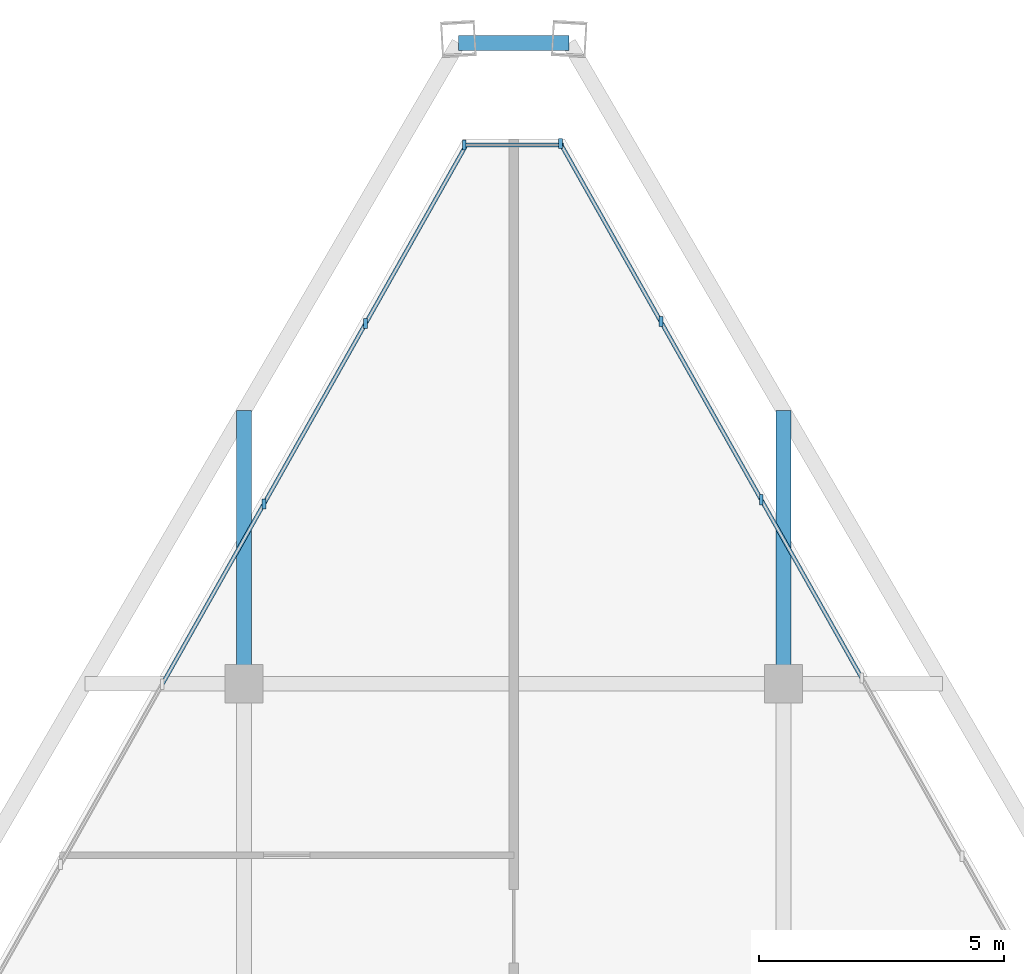
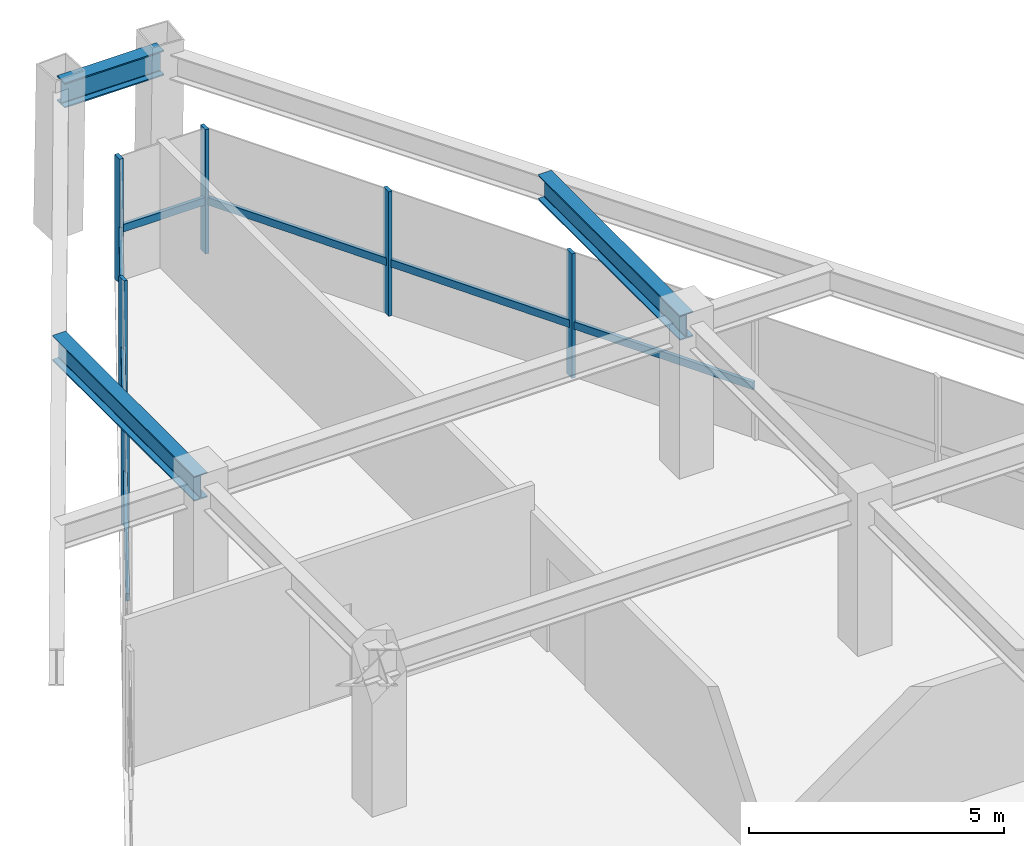
# One storey, part 8 of 12: 13 members, 3 beams, 3 elements without a shape of their own.
"""IFC4 building model written with IfcOpenShell, lengths in metres."""

from ifc_helpers import new_model, si_unit, direction, frame, origin, origin_2d, place, context, subcontext, project, spatial, rectangle, i_section, extrude, source, transform, mapped, material, material_profile, profile_set, type_object, type_shapes, element, aggregate, save


model = new_model("IFC4")

# Units and contexts
model_context = context("Model", 3, precision=1e-05, world=origin(), true_north=direction((0.0, 1.0)))
body_context = subcontext(model_context, "Body", "Model", "MODEL_VIEW")
ifc_project = project(units=[si_unit("LENGTHUNIT", "METRE"), si_unit("AREAUNIT", "SQUARE_METRE"), si_unit("VOLUMEUNIT", "CUBIC_METRE"), si_unit("PLANEANGLEUNIT", "RADIAN"), si_unit("MASSUNIT", "GRAM", prefix="KILO")], contexts=[model_context])

# Site, building, storey
site_placement = place(None, origin())
site = spatial("IfcSite", under=ifc_project, at=site_placement, CompositionType="ELEMENT")
building_placement = place(site_placement, origin())
building = spatial("IfcBuilding", under=site, at=building_placement, Name="Varnakhor Terracotta Tower", CompositionType="ELEMENT")
storey_placement = place(building_placement, frame((0.0, 0.0, 321.39990234375)))
storey = spatial("IfcBuildingStorey", under=building, at=storey_placement, Name="L84 Crown", CompositionType="ELEMENT", Elevation=321.39990234375)

# Beams
ifc_material_1 = material(Name="Steel S355", Category="steel")
ifc_material_profile_1 = material_profile(ifc_material_1, i_section(OverallWidth=0.300048828125, OverallDepth=0.60009765625, WebThickness=0.015380859375, FlangeThickness=0.030029296875, FilletRadius=0.01806640625, at=origin_2d()), Name="HEB600")
ifc_profile_set_1 = profile_set([ifc_material_profile_1], Name="Steel S355")
beam_type = type_object("IfcBeamType", Name="BM-HEB600", PredefinedType="BEAM", material=ifc_profile_set_1)
shared_shape_1 = source(origin(), body_context, "Body", "SweptSolid", [
    extrude(i_section(OverallWidth=0.300048828125, OverallDepth=0.60009765625, WebThickness=0.015380859375, FlangeThickness=0.030029296875, FilletRadius=0.01806640625, at=origin_2d()), origin(), (0.0, 0.0, 1.0), 2.2509765625),
])
beam_placement = place(storey_placement, frame((1.12548828125, 44.56689453125, 3.300048828125), z_axis=(-1.0, 0.0, 0.0), x_axis=(0.0, -1.0, 0.0)))
element("IfcBeam", 1, at=beam_placement, inside=storey, type_object=beam_type, Name="L84 Crown Perimeter Spandrel 5", PredefinedType="BEAM", context=body_context, shape_type="MappedRepresentation", body=[
    mapped(shared_shape_1, transform((0.0, 0.0, 0.0), scale=1.0)),
])
shared_shape_2 = source(origin(), body_context, "Body", "SweptSolid", [
    extrude(i_section(OverallWidth=0.300048828125, OverallDepth=0.60009765625, WebThickness=0.015380859375, FlangeThickness=0.030029296875, FilletRadius=0.01806640625, at=origin_2d()), origin(), (0.0, 0.0, 1.0), 5.568115234375),
])
for number, where, z_axis, x_axis, name in (
    (2, (-5.5, 31.5, 3.300048828125), (0.0, 1.0, 0.0), (-1.0, 0.0, 0.0), "L84 Crown Primary Girder NS3-W"),
    (3, (5.5, 31.5, 3.300048828125), (0.0, 1.0, 0.0), (-1.0, 0.0, 0.0), "L84 Crown Primary Girder NS3-E"),
):
    element("IfcBeam", number, at=place(storey_placement, frame(where, z_axis=z_axis, x_axis=x_axis)), inside=storey, type_object=beam_type, Name=name, PredefinedType="BEAM", context=body_context, shape_type="MappedRepresentation", body=[
        mapped(shared_shape_2, transform((0.0, 0.0, 0.0), scale=1.0)),
    ])

# Curtain wall, members
ifc_material_2 = material(Name="Anodised Aluminium Curtain Wall System", Category="aluminium")
curtain_wall_type = type_object("IfcCurtainWallType", Name="CW-SYS-CROWN", PredefinedType="NOTDEFINED", material=ifc_material_2)
curtain_wall_1_placement = place(storey_placement, origin())
curtain_wall_1 = element("IfcCurtainWall", 4, at=curtain_wall_1_placement, inside=storey, type_object=curtain_wall_type, Name="L84 Crown Facet Curtain Wall 1", PredefinedType="NOTDEFINED")
ifc_material_3 = material(Name="Anodised Aluminium 6063-T6", Category="aluminium")
ifc_material_profile_2 = material_profile(ifc_material_3, rectangle(XDim=0.080078125, YDim=0.205078125, at=origin_2d()), Name="ALU MULLION 80x205")
ifc_profile_set_2 = profile_set([ifc_material_profile_2], Name="Anodised Aluminium 6063-T6")
member_type_1 = type_object("IfcMemberType", Name="CWM-06", PredefinedType="MULLION", material=ifc_profile_set_2)
shared_shape_3 = source(origin(), body_context, "Body", "SweptSolid", [
    extrude(rectangle(XDim=0.080078125, YDim=0.205078125, at=origin_2d()), origin(), (0.0, 0.0, 1.0), 2.97998046875),
])
type_shapes(member_type_1, [shared_shape_3])
member_1_placement = place(storey_placement, frame((-5.095703125, 35.1650390625, 0.0), z_axis=(0.0, 0.0, 1.0), x_axis=(1.0, 0.0, 0.0)))
member_1 = element("IfcMember", 5, at=member_1_placement, type_object=member_type_1, Name="L84 Crown Facet Curtain Wall 1 Mullion 10", PredefinedType="MULLION", context=body_context, shape_type="MappedRepresentation", body=[
    mapped(shared_shape_3, transform((0.0, 0.0, 0.0), scale=1.0)),
])
member_2_placement = place(storey_placement, frame((-3.022705078125, 38.842529296875, 0.0), z_axis=(0.0, 0.0, 1.0), x_axis=(1.0, 0.0, 0.0)))
member_2 = element("IfcMember", 6, at=member_2_placement, type_object=member_type_1, Name="L84 Crown Facet Curtain Wall 1 Mullion 11", PredefinedType="MULLION", context=body_context, shape_type="MappedRepresentation", body=[
    mapped(shared_shape_3, transform((0.0, 0.0, 0.0), scale=1.0)),
])

# Curtain wall, member
curtain_wall_2_placement = place(storey_placement, origin())
curtain_wall_2 = element("IfcCurtainWall", 7, at=curtain_wall_2_placement, inside=storey, type_object=curtain_wall_type, Name="L84 Crown Facet Curtain Wall 2", PredefinedType="NOTDEFINED")
member_3_placement = place(storey_placement, frame((-1.009765625, 42.485107421875, 0.0), z_axis=(0.0, 0.0, 1.0), x_axis=(1.0, 0.0, 0.0)))
member_3 = element("IfcMember", 8, at=member_3_placement, type_object=member_type_1, Name="L84 Crown Facet Curtain Wall 2 Mullion 1", PredefinedType="MULLION", context=body_context, shape_type="MappedRepresentation", body=[
    mapped(shared_shape_3, transform((0.0, 0.0, 0.0), scale=1.0)),
])

# Curtain wall, members
curtain_wall_3_placement = place(storey_placement, origin())
curtain_wall_3 = element("IfcCurtainWall", 9, at=curtain_wall_3_placement, inside=storey, type_object=curtain_wall_type, Name="L84 Crown Facet Curtain Wall 3", PredefinedType="NOTDEFINED")
member_4_placement = place(storey_placement, frame((0.949951171875, 42.52001953125, 0.0), z_axis=(0.0, 0.0, 1.0), x_axis=(1.0, 0.0, 0.0)))
member_4 = element("IfcMember", 10, at=member_4_placement, type_object=member_type_1, Name="L84 Crown Facet Curtain Wall 3 Mullion 1", PredefinedType="MULLION", context=body_context, shape_type="MappedRepresentation", body=[
    mapped(shared_shape_3, transform((0.0, 0.0, 0.0), scale=1.0)),
])
member_5_placement = place(storey_placement, frame((2.998779296875, 38.885009765625, 0.0), z_axis=(0.0, 0.0, 1.0), x_axis=(1.0, 0.0, 0.0)))
member_5 = element("IfcMember", 11, at=member_5_placement, type_object=member_type_1, Name="L84 Crown Facet Curtain Wall 3 Mullion 2", PredefinedType="MULLION", context=body_context, shape_type="MappedRepresentation", body=[
    mapped(shared_shape_3, transform((0.0, 0.0, 0.0), scale=1.0)),
])
member_6_placement = place(storey_placement, frame((5.047607421875, 35.25, 0.0), z_axis=(0.0, 0.0, 1.0), x_axis=(1.0, 0.0, 0.0)))
member_6 = element("IfcMember", 12, at=member_6_placement, type_object=member_type_1, Name="L84 Crown Facet Curtain Wall 3 Mullion 3", PredefinedType="MULLION", context=body_context, shape_type="MappedRepresentation", body=[
    mapped(shared_shape_3, transform((0.0, 0.0, 0.0), scale=1.0)),
])

# Member
ifc_material_profile_3 = material_profile(ifc_material_3, rectangle(XDim=0.080078125, YDim=0.179931640625, at=origin_2d()), Name="ALU TRANSOM 80x180")
ifc_profile_set_3 = profile_set([ifc_material_profile_3], Name="Anodised Aluminium 6063-T6")
member_type_2 = type_object("IfcMemberType", Name="CWT-06", PredefinedType="USERDEFINED", material=ifc_profile_set_3)
shared_shape_4 = source(origin(), body_context, "Body", "SweptSolid", [
    extrude(rectangle(XDim=0.080078125, YDim=0.179931640625, at=origin_2d()), origin(), (0.0, 0.0, 1.0), 4.221435546875),
])
member_7_placement = place(storey_placement, frame((-7.16845703125, 31.487548828125, 1.251708984375), z_axis=(0.491010669336, 0.871153558564, 0.0), x_axis=(-0.871153558564, 0.491010669336, 0.0)))
member_7 = element("IfcMember", 13, at=member_7_placement, type_object=member_type_2, Name="L84 Crown Facet Curtain Wall 1 Transom 9", ObjectType="TRANSOM", PredefinedType="USERDEFINED", context=body_context, shape_type="MappedRepresentation", body=[
    mapped(shared_shape_4, transform((0.0, 0.0, 0.0), scale=1.0)),
])

member_8_placement = place(storey_placement, frame((-5.095703125, 35.1650390625, 1.251708984375), z_axis=(0.491054558183, 0.871128819916, 0.0), x_axis=(-0.871128819916, 0.491054558183, 0.0)))
member_8 = element("IfcMember", 14, at=member_8_placement, type_object=member_type_2, Name="L84 Crown Facet Curtain Wall 1 Transom 10", ObjectType="TRANSOM", PredefinedType="USERDEFINED", context=body_context, shape_type="MappedRepresentation", body=[
    mapped(shared_shape_4, transform((0.0, 0.0, 0.0), scale=1.0)),
])

member_9_placement = place(storey_placement, frame((-3.022705078125, 38.842529296875, 1.251708984375), z_axis=(0.491010669336, 0.871153558564, 0.0), x_axis=(-0.871153558564, 0.491010669336, 0.0)))
member_9 = element("IfcMember", 15, at=member_9_placement, type_object=member_type_2, Name="L84 Crown Facet Curtain Wall 1 Transom 11", ObjectType="TRANSOM", PredefinedType="USERDEFINED", context=body_context, shape_type="MappedRepresentation", body=[
    mapped(shared_shape_4, transform((0.0, 0.0, 0.0), scale=1.0)),
])

aggregate(curtain_wall_1, [member_7, member_1, member_8, member_2, member_9])

shared_shape_5 = source(origin(), body_context, "Body", "SweptSolid", [
    extrude(rectangle(XDim=0.080078125, YDim=0.179931640625, at=origin_2d()), origin(), (0.0, 0.0, 1.0), 2.01953125),
])
member_10_placement = place(storey_placement, frame((-1.009765625, 42.485107421875, 1.251708984375), z_axis=(1.0, 0.0, 0.0), x_axis=(0.0, 1.0, 0.0)))
member_10 = element("IfcMember", 16, at=member_10_placement, type_object=member_type_2, Name="L84 Crown Facet Curtain Wall 2 Transom 1", ObjectType="TRANSOM", PredefinedType="USERDEFINED", context=body_context, shape_type="MappedRepresentation", body=[
    mapped(shared_shape_5, transform((0.0, 0.0, 0.0), scale=1.0)),
])

aggregate(curtain_wall_2, [member_3, member_10])

shared_shape_6 = source(origin(), body_context, "Body", "SweptSolid", [
    extrude(rectangle(XDim=0.080078125, YDim=0.179931640625, at=origin_2d()), origin(), (0.0, 0.0, 1.0), 4.172607421875),
])
member_11_placement = place(storey_placement, frame((0.949951171875, 42.52001953125, 1.251708984375), z_axis=(0.491013870704, -0.87115175416, 0.0), x_axis=(0.87115175416, 0.491013870704, 0.0)))
member_11 = element("IfcMember", 17, at=member_11_placement, type_object=member_type_2, Name="L84 Crown Facet Curtain Wall 3 Transom 1", ObjectType="TRANSOM", PredefinedType="USERDEFINED", context=body_context, shape_type="MappedRepresentation", body=[
    mapped(shared_shape_6, transform((0.0, 0.0, 0.0), scale=1.0)),
])

member_12_placement = place(storey_placement, frame((2.998779296875, 38.885009765625, 1.251708984375), z_axis=(0.491013870704, -0.87115175416, 0.0), x_axis=(0.87115175416, 0.491013870704, 0.0)))
member_12 = element("IfcMember", 18, at=member_12_placement, type_object=member_type_2, Name="L84 Crown Facet Curtain Wall 3 Transom 2", ObjectType="TRANSOM", PredefinedType="USERDEFINED", context=body_context, shape_type="MappedRepresentation", body=[
    mapped(shared_shape_6, transform((0.0, 0.0, 0.0), scale=1.0)),
])

shared_shape_7 = source(origin(), body_context, "Body", "SweptSolid", [
    extrude(rectangle(XDim=0.080078125, YDim=0.179931640625, at=origin_2d()), origin(), (0.0, 0.0, 1.0), 4.173095703125),
])
member_13_placement = place(storey_placement, frame((5.047607421875, 35.25, 1.251708984375), z_axis=(0.491033244999, -0.871140833795, 0.0), x_axis=(0.871140833795, 0.491033244999, 0.0)))
member_13 = element("IfcMember", 19, at=member_13_placement, type_object=member_type_2, Name="L84 Crown Facet Curtain Wall 3 Transom 3", ObjectType="TRANSOM", PredefinedType="USERDEFINED", context=body_context, shape_type="MappedRepresentation", body=[
    mapped(shared_shape_7, transform((0.0, 0.0, 0.0), scale=1.0)),
])

aggregate(curtain_wall_3, [member_4, member_11, member_5, member_12, member_6, member_13])

save(model, "model.ifc")
